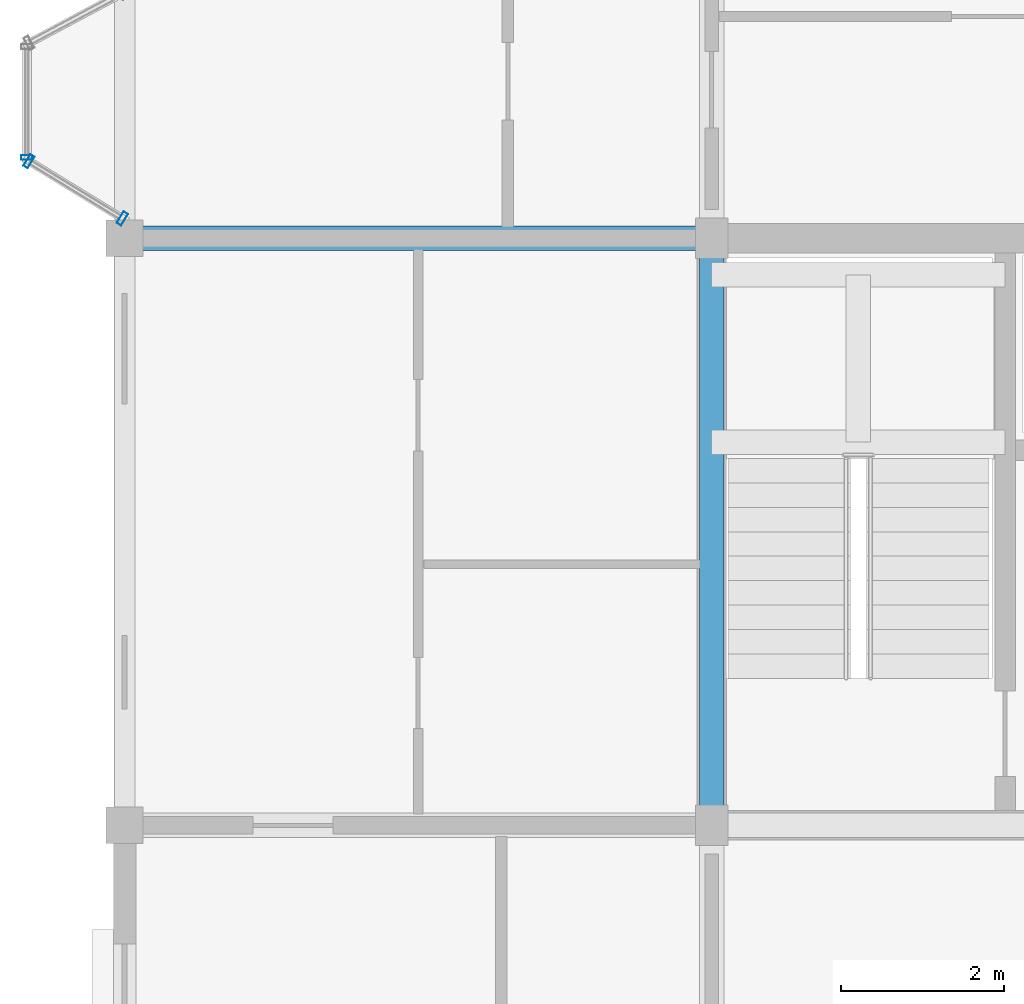
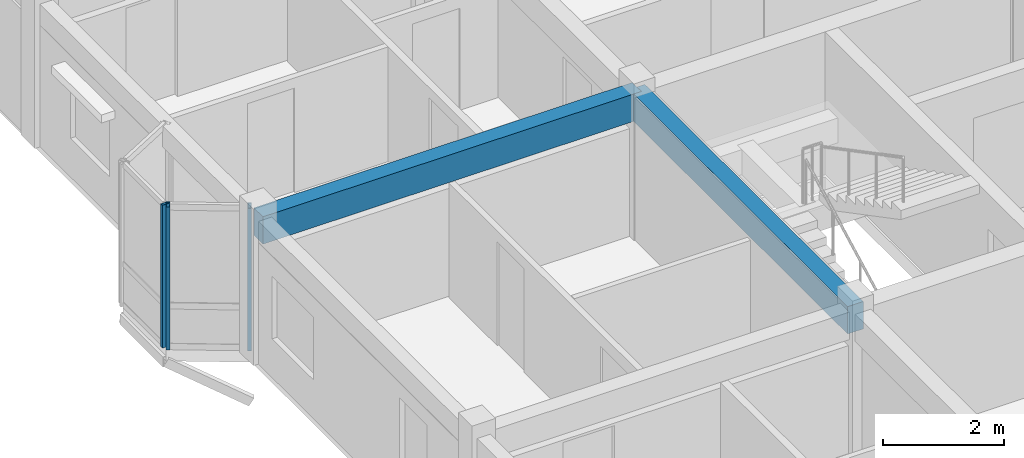
# One storey, part 5 of 40: 3 members, 2 beams, 2 elements without a shape of their own.
"""IFC4 building model written with IfcOpenShell, lengths in metres."""

from ifc_helpers import new_model, si_unit, direction, frame, origin, origin_2d, place, context, subcontext, project, spatial, rectangle, hollow_rectangle, extrude, material, layer, layer_set, material_profile, profile_set, type_object, element, aggregate, save


model = new_model("IFC4")

# Units and contexts
model_context = context("Model", 3, precision=1e-05, world=origin(), true_north=direction((0.0, 1.0)))
body_context = subcontext(model_context, "Body", "Model", "MODEL_VIEW")
ifc_project = project(units=[si_unit("LENGTHUNIT", "METRE"), si_unit("AREAUNIT", "SQUARE_METRE"), si_unit("VOLUMEUNIT", "CUBIC_METRE"), si_unit("PLANEANGLEUNIT", "RADIAN"), si_unit("MASSUNIT", "GRAM", prefix="KILO"), si_unit("THERMODYNAMICTEMPERATUREUNIT", "KELVIN"), si_unit("POWERUNIT", "WATT")], contexts=[model_context])

# Site, building, storey
site_placement = place(None, origin())
site = spatial("IfcSite", under=ifc_project, at=site_placement, CompositionType="ELEMENT")
building_placement = place(site_placement, origin())
building = spatial("IfcBuilding", under=site, at=building_placement, Name="Tavuni Mirador Residences", CompositionType="ELEMENT")
storey_placement = place(building_placement, frame((0.0, 0.0, 36.0)))
storey = spatial("IfcBuildingStorey", under=building, at=storey_placement, Name="L11", CompositionType="ELEMENT", Elevation=36.0)

# Beams
ifc_material_1 = material(Name="Precast concrete C40/50", Category="concrete")
ifc_material_profile_1 = material_profile(ifc_material_1, rectangle(XDim=0.300048828125, YDim=0.550048828125, at=origin_2d()), Name="PC 300x550", Category="concrete")
ifc_profile_set_1 = profile_set([ifc_material_profile_1], Name="Precast concrete C40/50")
beam_type = type_object("IfcBeamType", Name="BT-B550", PredefinedType="BEAM", material=ifc_profile_set_1)
beam_1_placement = place(storey_placement, frame((3.60009765625, 21.60009765625, 2.594970703125), z_axis=(1.0, 0.0, 0.0), x_axis=(0.0, 1.0, 0.0)))
element("IfcBeam", 1, at=beam_1_placement, inside=storey, type_object=beam_type, Name="BMX-BLK-A-L11-00-02", PredefinedType="BEAM", context=body_context, shape_type="SweptSolid", body=[
    extrude(rectangle(XDim=0.300048828125, YDim=0.550048828125, at=origin_2d()), origin(), (0.0, 0.0, 1.0), 7.199951171875),
])
beam_2_placement = place(storey_placement, frame((10.800048828125, 14.39990234375, 2.594970703125), z_axis=(0.0, 1.0, 0.0), x_axis=(-1.0, 0.0, 0.0)))
element("IfcBeam", 2, at=beam_2_placement, inside=storey, type_object=beam_type, Name="BMY-BLK-A-L11-01-01", PredefinedType="BEAM", context=body_context, shape_type="SweptSolid", body=[
    extrude(rectangle(XDim=0.300048828125, YDim=0.550048828125, at=origin_2d()), origin(), (0.0, 0.0, 1.0), 7.2001953125),
])

# Curtain wall, member
ifc_material_2 = material(Name="Anodised aluminium", Category="aluminium")
ifc_layer_1 = layer(ifc_material_2, 0.1650390625, Name="Anodised aluminium", Category="aluminium")
ifc_layer_set_1 = layer_set([ifc_layer_1], Name="Anodised aluminium")
curtain_wall_type_1 = type_object("IfcCurtainWallType", Name="CWT-MIR-A", PredefinedType="NOTDEFINED", material=ifc_layer_set_1)
curtain_wall_1_placement = place(storey_placement, origin())
curtain_wall_1 = element("IfcCurtainWall", 3, at=curtain_wall_1_placement, inside=storey, type_object=curtain_wall_type_1, Name="CW-MIR-A-W2-L11-MF", PredefinedType="NOTDEFINED")
ifc_material_profile_2 = material_profile(ifc_material_2, hollow_rectangle(XDim=0.06005859375, YDim=0.139892578125, WallThickness=0.00390625, at=origin_2d()), Name="ALU 60x140x4.0", Category="aluminium")
ifc_profile_set_2 = profile_set([ifc_material_profile_2], Name="Anodised aluminium")
member_type_1 = type_object("IfcMemberType", Name="CWM-140", PredefinedType="MULLION", material=ifc_profile_set_2)
member_1_placement = place(storey_placement, frame((2.39990234375, 22.590087890625, 0.0), z_axis=(0.0, 0.0, 1.0), x_axis=(0.0, -1.0, 0.0)))
member_1 = element("IfcMember", 4, at=member_1_placement, type_object=member_type_1, Name="CW-01 mullion 2", PredefinedType="MULLION", context=body_context, shape_type="SweptSolid", body=[
    extrude(hollow_rectangle(XDim=0.06005859375, YDim=0.139892578125, WallThickness=0.00390625, at=origin_2d()), origin(), (0.0, 0.0, 1.0), 2.8701171875),
])
aggregate(curtain_wall_1, [member_1])

# Curtain wall, members
ifc_layer_2 = layer(ifc_material_2, 0.14990234375, Name="Anodised aluminium", Category="aluminium")
ifc_layer_set_2 = layer_set([ifc_layer_2], Name="Anodised aluminium")
curtain_wall_type_2 = type_object("IfcCurtainWallType", Name="CWT-MIR-B", PredefinedType="NOTDEFINED", material=ifc_layer_set_2)
curtain_wall_2_placement = place(storey_placement, origin())
curtain_wall_2 = element("IfcCurtainWall", 5, at=curtain_wall_2_placement, inside=storey, type_object=curtain_wall_type_2, Name="CW-MIR-A-W2-L11-M2", PredefinedType="NOTDEFINED")
ifc_material_profile_3 = material_profile(ifc_material_2, hollow_rectangle(XDim=0.06494140625, YDim=0.1650390625, WallThickness=0.00439453125, at=origin_2d()), Name="ALU 65x165x4.5", Category="aluminium")
ifc_profile_set_3 = profile_set([ifc_material_profile_3], Name="Anodised aluminium")
member_type_2 = type_object("IfcMemberType", Name="CWM-165", PredefinedType="MULLION", material=ifc_profile_set_3)
member_2_placement = place(storey_placement, frame((2.427734375, 22.54296875, 0.0), z_axis=(0.0, 0.0, 1.0), x_axis=(0.852754414845, -0.522312079088, 0.0)))
member_2 = element("IfcMember", 6, at=member_2_placement, type_object=member_type_2, Name="CW-02 mullion 1", PredefinedType="MULLION", context=body_context, shape_type="SweptSolid", body=[
    extrude(hollow_rectangle(XDim=0.06494140625, YDim=0.1650390625, WallThickness=0.00439453125, at=origin_2d()), origin(), (0.0, 0.0, 1.0), 2.8701171875),
])
member_3_placement = place(storey_placement, frame((3.572265625, 21.842041015625, 0.0), z_axis=(0.0, 0.0, 1.0), x_axis=(0.852754414845, -0.522312079088, 0.0)))
member_3 = element("IfcMember", 7, at=member_3_placement, type_object=member_type_2, Name="CW-02 mullion 2", PredefinedType="MULLION", context=body_context, shape_type="SweptSolid", body=[
    extrude(hollow_rectangle(XDim=0.06494140625, YDim=0.1650390625, WallThickness=0.00439453125, at=origin_2d()), origin(), (0.0, 0.0, 1.0), 2.8701171875),
])
aggregate(curtain_wall_2, [member_2, member_3])

save(model, "model.ifc")
